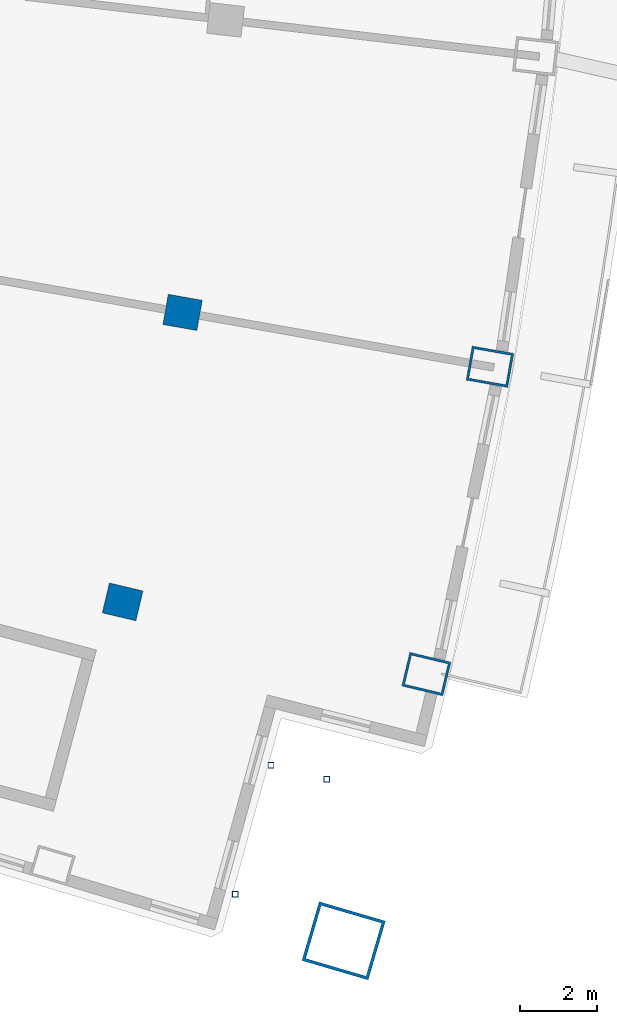
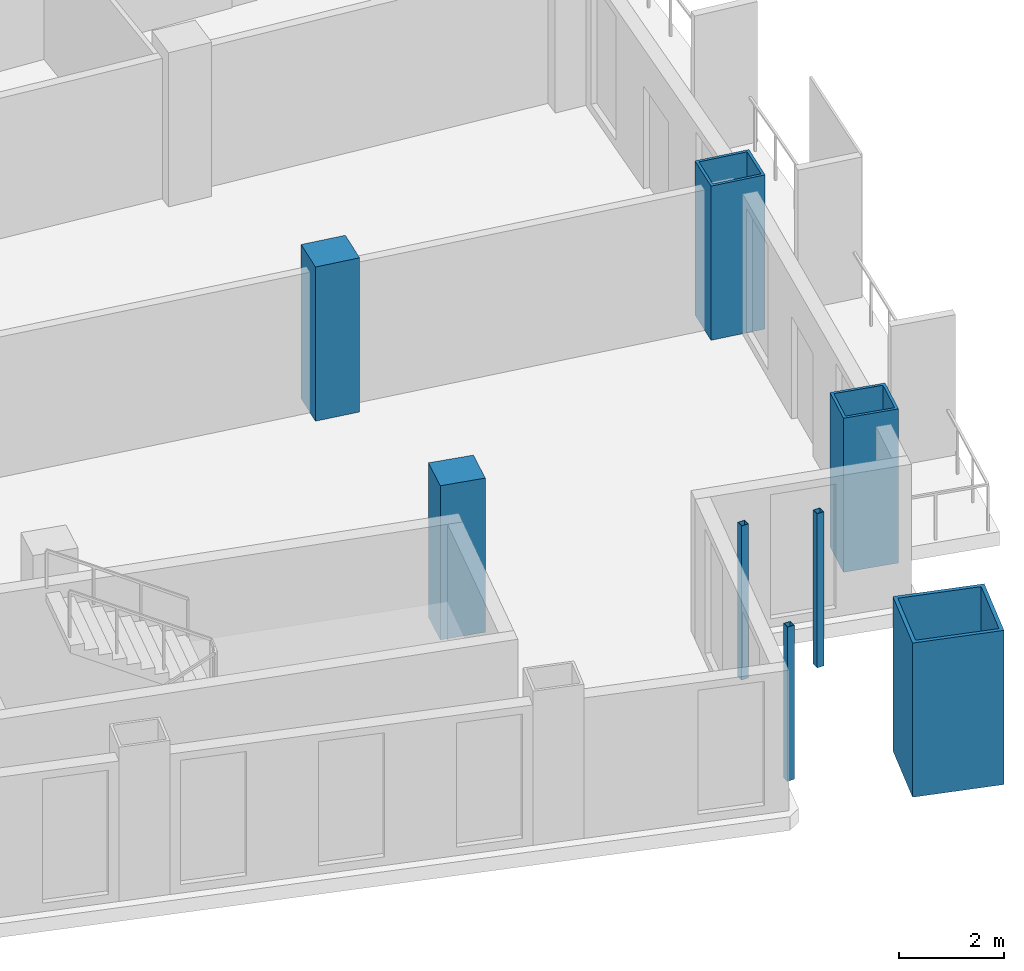
# One storey, part 3 of 20: 8 columns.
"""IFC4 building model written with IfcOpenShell, lengths in metres."""

from ifc_helpers import new_model, si_unit, direction, frame, origin, origin_2d, place, context, subcontext, project, spatial, rectangle, hollow_rectangle, extrude, material, material_profile, profile_set, type_object, element, save


model = new_model("IFC4")

# Units and contexts
model_context = context("Model", 3, precision=1e-05, world=origin(), true_north=direction((0.0, 1.0)))
body_context = subcontext(model_context, "Body", "Model", "MODEL_VIEW")
ifc_project = project(units=[si_unit("LENGTHUNIT", "METRE"), si_unit("AREAUNIT", "SQUARE_METRE"), si_unit("VOLUMEUNIT", "CUBIC_METRE"), si_unit("PLANEANGLEUNIT", "RADIAN"), si_unit("MASSUNIT", "GRAM", prefix="KILO")], contexts=[model_context])

# Site, building, storey
site_placement = place(None, origin())
site = spatial("IfcSite", under=ifc_project, at=site_placement, CompositionType="ELEMENT")
building_placement = place(site_placement, origin())
building = spatial("IfcBuilding", under=site, at=building_placement, Name="Alderwake Tower", CompositionType="ELEMENT")
storey_placement = place(building_placement, frame((0.0, 0.0, 142.39990234375)))
storey = spatial("IfcBuildingStorey", under=building, at=storey_placement, Name="L34", CompositionType="ELEMENT", Elevation=142.39990234375)

# Columns
ifc_material_1 = material(Name="Concrete C70/85", Category="concrete")
ifc_material_profile_1 = material_profile(ifc_material_1, rectangle(XDim=0.800048828125, YDim=0.89990234375, at=origin_2d()), Name="RC 900X800")
ifc_profile_set_1 = profile_set([ifc_material_profile_1], Name="Concrete C70/85")
column_type_1 = type_object("IfcColumnType", Name="Interior column Z3", PredefinedType="COLUMN", material=ifc_profile_set_1)
for number, where, z_axis, x_axis, name in (
    (1, (48.48779296875, 30.46337890625, 0.0), (0.0, 0.0, 1.0), (0.231221547198, 0.972901123502, 0.0), "Column R03-C4"),
    (2, (50.049560546875, 38.006103515625, 0.0), (0.0, 0.0, 1.0), (0.174108800747, 0.984726421654, 0.0), "Column R04-C4"),
):
    element("IfcColumn", number, at=place(storey_placement, frame(where, z_axis=z_axis, x_axis=x_axis)), inside=storey, type_object=column_type_1, Name=name, PredefinedType="COLUMN", context=body_context, shape_type="SweptSolid", body=[
        extrude(rectangle(XDim=0.800048828125, YDim=0.89990234375, at=origin_2d()), origin(), (0.0, 0.0, 1.0), 3.60009765625),
    ])
ifc_material_2 = material(Name="Steel ASTM A500 Grade C", Category="steel")
ifc_material_profile_2 = material_profile(ifc_material_2, hollow_rectangle(XDim=0.15234375, YDim=0.15234375, WallThickness=0.0087890625, at=origin_2d()), Name="HSS6X6X3/8")
ifc_profile_set_2 = profile_set([ifc_material_profile_2], Name="Steel ASTM A500 Grade C")
column_type_2 = type_object("IfcColumnType", Name="Light post HSS6X6X3/8", PredefinedType="COLUMN", material=ifc_profile_set_2)
for number, where, z_axis, x_axis, name in (
    (3, (53.807861328125, 25.840576171875, 0.0), (0.0, 0.0, 1.0), (1.0, 0.0, 0.0), "Terrace post FS1"),
    (4, (51.42431640625, 22.847900390625, 0.0), (0.0, 0.0, 1.0), (1.0, 0.0, 0.0), "Terrace post FS2"),
    (5, (52.353759765625, 26.208740234375, 0.0), (0.0, 0.0, 1.0), (1.0, 0.0, 0.0), "Terrace post FS3"),
):
    element("IfcColumn", number, at=place(storey_placement, frame(where, z_axis=z_axis, x_axis=x_axis)), inside=storey, type_object=column_type_2, Name=name, PredefinedType="COLUMN", context=body_context, shape_type="SweptSolid", body=[
        extrude(hollow_rectangle(XDim=0.15234375, YDim=0.15234375, WallThickness=0.0087890625, at=origin_2d()), origin(), (0.0, 0.0, 1.0), 3.60009765625),
    ])
ifc_material_3 = material(Name="Steel ASTM A572 Grade 50 concrete filled C70/85", Category="concrete")
ifc_material_profile_3 = material_profile(ifc_material_3, hollow_rectangle(XDim=1.60009765625, YDim=1.800048828125, WallThickness=0.080078125, at=origin_2d()), Name="BOX 1800X1600X80")
ifc_profile_set_3 = profile_set([ifc_material_profile_3], Name="Steel ASTM A572 Grade 50 concrete filled C70/85")
column_type_3 = type_object("IfcColumnType", Name="Mega column Z3", PredefinedType="COLUMN", material=ifc_profile_set_3)
column_placement = place(storey_placement, frame((54.246826171875, 21.6328125, 0.0), z_axis=(0.0, 0.0, 1.0), x_axis=(0.281395329631, 0.959591928093, 0.0)))
element("IfcColumn", 6, at=column_placement, inside=storey, type_object=column_type_3, Name="Column R02-C5", PredefinedType="COLUMN", context=body_context, shape_type="SweptSolid", body=[
    extrude(hollow_rectangle(XDim=1.60009765625, YDim=1.800048828125, WallThickness=0.080078125, at=origin_2d()), origin(), (0.0, 0.0, 1.0), 3.60009765625),
])
ifc_material_4 = material(Name="Steel ASTM A572 Grade 50 concrete filled C70/85", Category="concrete")
ifc_material_profile_4 = material_profile(ifc_material_4, hollow_rectangle(XDim=0.89990234375, YDim=1.10009765625, WallThickness=0.06005859375, at=origin_2d()), Name="BOX 1100X900X60")
ifc_profile_set_4 = profile_set([ifc_material_profile_4], Name="Steel ASTM A572 Grade 50 concrete filled C70/85")
column_type_4 = type_object("IfcColumnType", Name="Perimeter column Z3", PredefinedType="COLUMN", material=ifc_profile_set_4)
for number, where, z_axis, x_axis, name in (
    (7, (56.400634765625, 28.582763671875, 0.0), (0.0, 0.0, 1.0), (0.231221547198, 0.972901123502, 0.0), "Column R03-C5"),
    (8, (58.05859375, 36.590087890625, 0.0), (0.0, 0.0, 1.0), (0.174108800747, 0.984726421654, 0.0), "Column R04-C5"),
):
    element("IfcColumn", number, at=place(storey_placement, frame(where, z_axis=z_axis, x_axis=x_axis)), inside=storey, type_object=column_type_4, Name=name, PredefinedType="COLUMN", context=body_context, shape_type="SweptSolid", body=[
        extrude(hollow_rectangle(XDim=0.89990234375, YDim=1.10009765625, WallThickness=0.06005859375, at=origin_2d()), origin(), (0.0, 0.0, 1.0), 3.60009765625),
    ])

save(model, "model.ifc")
